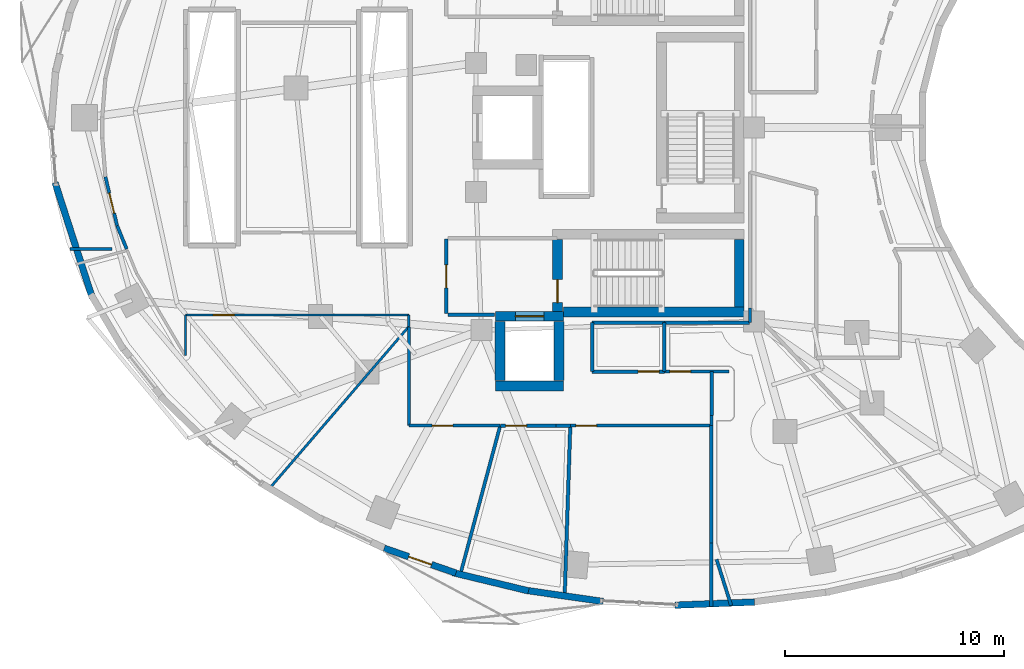
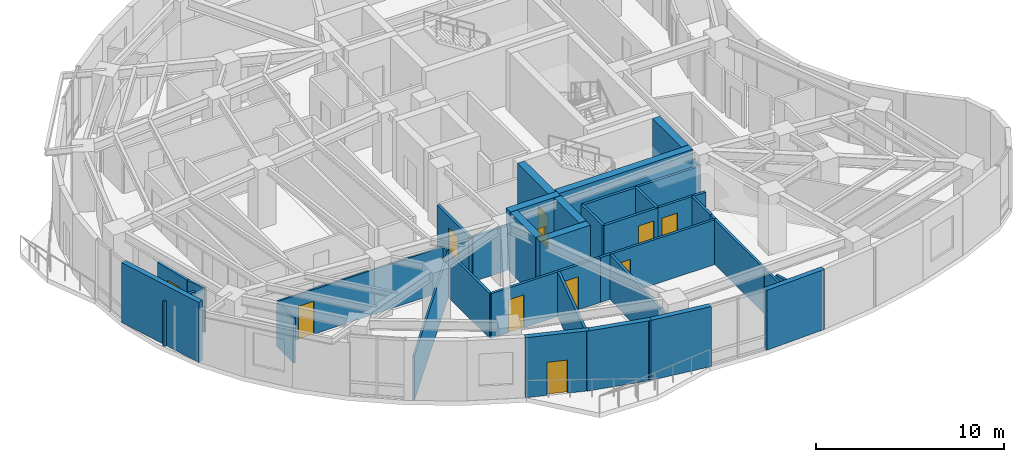
# One storey, part 8 of 15: 40 walls, 11 doors, 11 openings.
"""IFC4 building model written with IfcOpenShell, lengths in metres."""

import ifcopenshell
import ifcopenshell.guid

model = None  # the IFC model being written
_history = None  # IfcOwnerHistory: only IFC2X3 demands one
_inside = {}  # id of a spatial element -> (the spatial element, [elements in it])
_under = {}  # id of a project, library or spatial element -> (it, [spatial elements below it])
_declared = {}  # id of a project -> (the project, [libraries it declares])
_typed = {}  # id of a type object -> (the type object, [elements of that type])
_made_of = {}  # id of a material, layer set ... -> (it, [elements and type objects made of it])


def new_model(schema):
    """Start an empty IFC model of exactly this schema.

    Asked for "IFC4X3", IfcOpenShell would pick the latest addendum, in which some entities
    have other attributes; the version numbers below select the first issue.
    IFC2X3 requires an IfcOwnerHistory on every rooted entity: one is made here for all.
    """
    global model, _history
    if schema == "IFC4X3":
        model = ifcopenshell.file(schema_version=(4, 3, 0, 0))
    else:
        model = ifcopenshell.file(schema=schema)
    _inside.clear()
    _under.clear()
    _declared.clear()
    _typed.clear()
    _made_of.clear()
    _history = None
    if model.schema == "IFC2X3":
        org = make("IfcOrganization", Name="unknown")
        user = make(
            "IfcPersonAndOrganization",
            ThePerson=make("IfcPerson", FamilyName="unknown"),
            TheOrganization=org,
        )
        app = make(
            "IfcApplication",
            ApplicationDeveloper=org,
            Version="unknown",
            ApplicationFullName="unknown",
            ApplicationIdentifier="unknown",
        )
        _history = make(
            "IfcOwnerHistory",
            OwningUser=user,
            OwningApplication=app,
            ChangeAction="ADDED",
            CreationDate=0,
        )
    return model


def make(cls, **values):
    """One entity of the class cls with the attributes given. An attribute that is None is left unset."""
    return model.create_entity(
        cls, **{name: value for name, value in values.items() if value is not None}
    )


def rooted(cls, **values):
    """An entity with a GlobalId (a new one), such as an element, a storey or a relation."""
    return make(cls, GlobalId=ifcopenshell.guid.new(), OwnerHistory=_history, **values)


def si_unit(unit_type, name, prefix=None):
    """IfcSIUnit, for example si_unit("LENGTHUNIT", "METRE", prefix="MILLI")."""
    return make("IfcSIUnit", UnitType=unit_type, Prefix=prefix, Name=name)


def assignment(units):
    """IfcUnitAssignment: the units of a project."""
    return None if units is None else make("IfcUnitAssignment", Units=units)


def point(xyz):
    """IfcCartesianPoint."""
    return None if xyz is None else make("IfcCartesianPoint", Coordinates=xyz)


def direction(xyz):
    """IfcDirection."""
    return None if xyz is None else make("IfcDirection", DirectionRatios=xyz)


def frame(location, z_axis=None, x_axis=None):
    """IfcAxis2Placement3D, a coordinate frame: its origin and axes. An axis left out is left unset."""
    return make(
        "IfcAxis2Placement3D",
        Location=point(location),
        Axis=direction(z_axis),
        RefDirection=direction(x_axis),
    )


def frame_2d(location, x_axis=None):
    """IfcAxis2Placement2D, a coordinate frame in the plane: its origin and x axis."""
    return make(
        "IfcAxis2Placement2D", Location=point(location), RefDirection=direction(x_axis)
    )


def origin():
    """The frame at (0, 0, 0) with its axes left unset."""
    return frame((0.0, 0.0, 0.0))


def place(relative_to, where):
    """IfcLocalPlacement: puts the frame where relative to a parent placement (None: the world)."""
    return make(
        "IfcLocalPlacement", PlacementRelTo=relative_to, RelativePlacement=where
    )


def context(
    kind, dimensions, precision=None, world=None, true_north=None, identifier=None
):
    """IfcGeometricRepresentationContext, for example the 3D "Model" context."""
    return make(
        "IfcGeometricRepresentationContext",
        ContextIdentifier=identifier,
        ContextType=kind,
        CoordinateSpaceDimension=dimensions,
        Precision=precision,
        WorldCoordinateSystem=world,
        TrueNorth=true_north,
    )


def subcontext(parent, identifier, kind, view, scale=None):
    """IfcGeometricRepresentationSubContext, for example "Body" below "Model"."""
    return make(
        "IfcGeometricRepresentationSubContext",
        ContextIdentifier=identifier,
        ContextType=kind,
        ParentContext=parent,
        TargetScale=scale,
        TargetView=view,
    )


def project(units=None, contexts=None):
    """IfcProject with its units and contexts."""
    return rooted(
        "IfcProject",
        Name="project",
        RepresentationContexts=contexts,
        UnitsInContext=assignment(units),
    )


def spatial(cls, under=None, at=None, **own):
    """A site, building, storey or space (cls), placed at a placement, below another one or the project."""
    s = rooted(cls, ObjectPlacement=at, **own)
    if under is not None:
        _under.setdefault(under.id(), (under, []))[1].append(s)
    return s


def profile(cls, at=None, kind="AREA", **sizes):
    """A parametric profile (cls). Its sizes go by their IFC names, for example OverallWidth=200.0."""
    return make(cls, ProfileType=kind, Position=at, **sizes)


def rectangle(**sizes):
    """IfcRectangleProfileDef."""
    return profile("IfcRectangleProfileDef", **sizes)


def extrude(swept, where, along, depth):
    """IfcExtrudedAreaSolid: the profile swept, set in the frame where, extruded along a direction by depth."""
    return make(
        "IfcExtrudedAreaSolid",
        SweptArea=swept,
        Position=where,
        ExtrudedDirection=direction(along),
        Depth=depth,
    )


def shape(context_of_items, identifier, shape_type, items):
    """IfcShapeRepresentation: the items that make up one representation, for example the "Body"."""
    return make(
        "IfcShapeRepresentation",
        ContextOfItems=context_of_items,
        RepresentationIdentifier=identifier,
        RepresentationType=shape_type,
        Items=items,
    )


def material(Name=None, Category=None):
    """IfcMaterial."""
    return make("IfcMaterial", Name=Name, Category=Category)


def layer(
    of_material, thickness, ventilated=None, Name=None, Category=None, Priority=None
):
    """IfcMaterialLayer: one layer of a wall or slab, of a material (None: an air gap)."""
    return make(
        "IfcMaterialLayer",
        Material=of_material,
        LayerThickness=thickness,
        IsVentilated=ventilated,
        Name=Name,
        Category=Category,
        Priority=Priority,
    )


def layer_set(layers, Name=None):
    """IfcMaterialLayerSet."""
    return make("IfcMaterialLayerSet", MaterialLayers=layers, LayerSetName=Name)


def made_of(thing, what):
    """Note that an element or type object is made of a material, layer set ...; save() writes the relation."""
    if what is not None:
        _made_of.setdefault(what.id(), (what, []))[1].append(thing)
    return thing


def type_object(cls, material=None, **own):
    """A type object (cls), such as IfcWallType, which elements share."""
    return made_of(rooted(cls, **own), material)


def element(
    cls,
    number,
    at=None,
    inside=None,
    cuts=None,
    type_object=None,
    material=None,
    context=None,
    identifier="Body",
    shape_type=None,
    held_by="IfcProductDefinitionShape",
    body=None,
    shapes=None,
    **own,
):
    """One element of the class cls, such as IfcWall. Its Tag is "e" and its number.

    at: its placement. inside: the storey or other place that contains it. cuts: it is an
    opening in that element (IfcRelVoidsElement). A single representation is given by context,
    identifier, shape_type and body (its items); several are given by shapes. held_by: the class
    of the entity that holds the representations. save() writes the other relations.
    """
    e = rooted(cls, Tag="e%d" % number, ObjectPlacement=at, **own)
    if body is not None:
        shapes = [shape(context, identifier, shape_type, body)]
    if shapes is not None:
        e.Representation = make(held_by, Representations=shapes)
    if inside is not None:
        _inside.setdefault(inside.id(), (inside, []))[1].append(e)
    if cuts is not None:
        rooted(
            "IfcRelVoidsElement", RelatingBuildingElement=cuts, RelatedOpeningElement=e
        )
    if type_object is not None:
        _typed.setdefault(type_object.id(), (type_object, []))[1].append(e)
    return made_of(e, material)


def fill(opening, filler):
    """IfcRelFillsElement: the door or window that sits in an opening."""
    return rooted(
        "IfcRelFillsElement",
        RelatingOpeningElement=opening,
        RelatedBuildingElement=filler,
    )


def aggregate(whole, parts):
    """IfcRelAggregates: a whole, such as a stair, and the parts it consists of."""
    return rooted("IfcRelAggregates", RelatingObject=whole, RelatedObjects=parts)


def save(model, path):
    """Write the relations noted so far, then the file.

    IfcRelAggregates (storeys below a building ...), IfcRelContainedInSpatialStructure (elements
    in a storey), IfcRelDefinesByType, IfcRelAssociatesMaterial and IfcRelDeclares: one each for
    every whole, place, type object, material and project.
    """
    for whole, parts in _under.values():
        aggregate(whole, parts)
    for where, things in _inside.values():
        rooted(
            "IfcRelContainedInSpatialStructure",
            RelatedElements=things,
            RelatingStructure=where,
        )
    for kind, things in _typed.values():
        rooted("IfcRelDefinesByType", RelatedObjects=things, RelatingType=kind)
    for what, things in _made_of.values():
        rooted("IfcRelAssociatesMaterial", RelatedObjects=things, RelatingMaterial=what)
    for by, libraries in _declared.values():
        rooted("IfcRelDeclares", RelatingContext=by, RelatedDefinitions=libraries)
    model.write(path)


model = new_model("IFC4")

# Units and contexts
model_context = context("Model", 3, precision=1e-05, world=origin(), true_north=direction((0.0, 1.0)))
body_context = subcontext(model_context, "Body", "Model", "MODEL_VIEW")
ifc_project = project(units=[si_unit("LENGTHUNIT", "METRE"), si_unit("AREAUNIT", "SQUARE_METRE"), si_unit("VOLUMEUNIT", "CUBIC_METRE"), si_unit("PLANEANGLEUNIT", "RADIAN"), si_unit("MASSUNIT", "GRAM", prefix="KILO")], contexts=[model_context])

# Site, building, storey
site_placement = place(None, origin())
site = spatial("IfcSite", under=ifc_project, at=site_placement, CompositionType="ELEMENT")
building_placement = place(site_placement, origin())
building = spatial("IfcBuilding", under=site, at=building_placement, Name="Korentha Bioscience Tower", CompositionType="ELEMENT")
storey_placement = place(building_placement, frame((0.0, 0.0, 111.0)))
storey = spatial("IfcBuildingStorey", under=building, at=storey_placement, Name="L25", CompositionType="ELEMENT", Elevation=111.0)

# Wall, opening, door
ifc_material_1 = material(Name="Double-Stud Acoustic Gypsum", Category="gypsum")
ifc_layer_1 = layer(ifc_material_1, 0.14990234375, Name="Double-Stud Acoustic Gypsum")
ifc_layer_set_1 = layer_set([ifc_layer_1], Name="Double-Stud Acoustic Gypsum (IW-L150)")
wall_type_1 = type_object("IfcWallType", Name="Acoustic Laboratory Partition Wall 150", PredefinedType="PARTITIONING", material=ifc_layer_set_1)
wall_1_placement = place(storey_placement, frame((21.800048828125, 13.389892578125, 0.0), z_axis=(0.0, 0.0, 1.0), x_axis=(1.0, 0.0, 0.0)))
wall_1 = element("IfcWall", 1, at=wall_1_placement, inside=storey, type_object=wall_type_1, Name="L25 Staff Pantry Kitchenette 02 Entrance Wall", PredefinedType="PARTITIONING", context=body_context, shape_type="SweptSolid", body=[
    extrude(rectangle(XDim=4.15869140625, YDim=0.14990234375, at=frame_2d((2.079345703125, 0.0))), origin(), (0.0, 0.0, 1.0), 2.909912109375),
])
opening_1_placement = place(wall_1_placement, frame((1.051513671875, 0.0, 0.0)))
opening_1 = element("IfcOpeningElement", 2, at=opening_1_placement, cuts=wall_1, Name="Opening ID-10L", PredefinedType="OPENING", context=body_context, shape_type="SweptSolid", body=[
    extrude(rectangle(XDim=0.949951171875, YDim=2.14990234375, at=frame_2d((0.47509765625, 1.074951171875))), frame((0.0, 0.08984375, 0.0), z_axis=(0.0, -1.0, 0.0), x_axis=(1.0, 0.0, 0.0)), (0.0, 0.0, 1.0), 0.1796875),
])
ifc_material_2 = material(Name="Phenolic Laminate Timber Core", Category="wood")
door_type_1 = type_object("IfcDoorType", Name="Laboratory Single Leaf Door 950x2150 Left", OperationType="SINGLE_SWING_LEFT", PredefinedType="DOOR", material=ifc_material_2)
door_1_placement = place(opening_1_placement, origin())
door_1 = element("IfcDoor", 3, at=door_1_placement, inside=storey, type_object=door_type_1, Name="L25 Staff Pantry Kitchenette 02 Door", OperationType="SINGLE_SWING_LEFT", OverallHeight=2.14990234375, OverallWidth=0.949951171875, PredefinedType="DOOR", context=body_context, shape_type="SweptSolid", body=[
    extrude(rectangle(XDim=0.949951171875, YDim=2.14990234375, at=frame_2d((0.47509765625, 1.074951171875))), frame((0.0, 0.02490234375, 0.0), z_axis=(0.0, -1.0, 0.0), x_axis=(1.0, 0.0, 0.0)), (0.0, 0.0, 1.0), 0.050048828125),
])
fill(opening_1, door_1)

wall_2_placement = place(storey_placement, frame((29.16748046875, 13.389892578125, 0.0), z_axis=(0.0, 0.0, 1.0), x_axis=(1.0, 0.0, 0.0)))
wall_2 = element("IfcWall", 4, at=wall_2_placement, inside=storey, type_object=wall_type_1, Name="L25 Biomechanical Motion Analysis Lab 04 Entrance Wall", PredefinedType="PARTITIONING", context=body_context, shape_type="SweptSolid", body=[
    extrude(rectangle(XDim=6.430419921875, YDim=0.14990234375, at=frame_2d((3.21533203125, 0.0))), origin(), (0.0, 0.0, 1.0), 2.909912109375),
])
opening_2_placement = place(wall_2_placement, frame((0.239990234375, 0.0, 0.0)))
opening_2 = element("IfcOpeningElement", 5, at=opening_2_placement, cuts=wall_2, Name="Opening ID-10L", PredefinedType="OPENING", context=body_context, shape_type="SweptSolid", body=[
    extrude(rectangle(XDim=0.949951171875, YDim=2.14990234375, at=frame_2d((0.47509765625, 1.074951171875))), frame((0.0, 0.08984375, 0.0), z_axis=(0.0, -1.0, 0.0), x_axis=(1.0, 0.0, 0.0)), (0.0, 0.0, 1.0), 0.1796875),
])
door_2_placement = place(opening_2_placement, origin())
door_2 = element("IfcDoor", 6, at=door_2_placement, inside=storey, type_object=door_type_1, Name="L25 Biomechanical Motion Analysis Lab 04 Door", OperationType="SINGLE_SWING_LEFT", OverallHeight=2.14990234375, OverallWidth=0.949951171875, PredefinedType="DOOR", context=body_context, shape_type="SweptSolid", body=[
    extrude(rectangle(XDim=0.949951171875, YDim=2.14990234375, at=frame_2d((0.47509765625, 1.074951171875))), frame((0.0, 0.02490234375, 0.0), z_axis=(0.0, -1.0, 0.0), x_axis=(1.0, 0.0, 0.0)), (0.0, 0.0, 1.0), 0.050048828125),
])
fill(opening_2, door_2)

wall_3_placement = place(storey_placement, frame((36.39990234375, 15.860107421875, 0.0), z_axis=(0.0, 0.0, 1.0), x_axis=(-1.0, 0.0, 0.0)))
wall_3 = element("IfcWall", 7, at=wall_3_placement, inside=storey, type_object=wall_type_1, Name="L25 Automated High-Throughput Assay Lab 05 Entrance Wall", PredefinedType="PARTITIONING", context=body_context, shape_type="SweptSolid", body=[
    extrude(rectangle(XDim=2.93994140625, YDim=0.14990234375, at=frame_2d((1.469970703125, 0.0))), origin(), (0.0, 0.0, 1.0), 2.909912109375),
])
opening_3_placement = place(wall_3_placement, frame((1.75, 0.0, 0.0)))
opening_3 = element("IfcOpeningElement", 8, at=opening_3_placement, cuts=wall_3, Name="Opening ID-10R", PredefinedType="OPENING", context=body_context, shape_type="SweptSolid", body=[
    extrude(rectangle(XDim=0.949951171875, YDim=2.14990234375, at=frame_2d((0.47509765625, 1.074951171875))), frame((0.0, 0.08984375, 0.0), z_axis=(0.0, -1.0, 0.0), x_axis=(1.0, 0.0, 0.0)), (0.0, 0.0, 1.0), 0.1796875),
])
door_type_2 = type_object("IfcDoorType", Name="Laboratory Single Leaf Door 950x2150 Right", OperationType="SINGLE_SWING_RIGHT", PredefinedType="DOOR", material=ifc_material_2)
door_3_placement = place(opening_3_placement, origin())
door_3 = element("IfcDoor", 9, at=door_3_placement, inside=storey, type_object=door_type_2, Name="L25 Automated High-Throughput Assay Lab 05 Door", OperationType="SINGLE_SWING_RIGHT", OverallHeight=2.14990234375, OverallWidth=0.949951171875, PredefinedType="DOOR", context=body_context, shape_type="SweptSolid", body=[
    extrude(rectangle(XDim=0.949951171875, YDim=2.14990234375, at=frame_2d((0.47509765625, 1.074951171875))), frame((0.0, 0.02490234375, 0.0), z_axis=(0.0, -1.0, 0.0), x_axis=(1.0, 0.0, 0.0)), (0.0, 0.0, 1.0), 0.050048828125),
])
fill(opening_3, door_3)

wall_4_placement = place(storey_placement, frame((7.930419921875, 24.749267578125, 0.0), z_axis=(0.0, 0.0, 1.0), x_axis=(0.233675196412, -0.972314713754, 0.0)))
wall_4 = element("IfcWall", 10, at=wall_4_placement, inside=storey, type_object=wall_type_1, Name="L25 Automated High-Throughput Assay Lab 14 Entrance Wall", PredefinedType="PARTITIONING", context=body_context, shape_type="SweptSolid", body=[
    extrude(rectangle(XDim=2.291259765625, YDim=0.14990234375, at=frame_2d((1.1455078125, 0.0))), origin(), (0.0, 0.0, 1.0), 2.909912109375),
])
opening_4_placement = place(wall_4_placement, frame((0.760498046875, 0.0, 0.0)))
opening_4 = element("IfcOpeningElement", 11, at=opening_4_placement, cuts=wall_4, Name="Opening ID-10L", PredefinedType="OPENING", context=body_context, shape_type="SweptSolid", body=[
    extrude(rectangle(XDim=0.949951171875, YDim=2.14990234375, at=frame_2d((0.47509765625, 1.074951171875))), frame((0.0, 0.08984375, 0.0), z_axis=(0.0, -1.0, 0.0), x_axis=(1.0, 0.0, 0.0)), (0.0, 0.0, 1.0), 0.1796875),
])
door_4_placement = place(opening_4_placement, origin())
door_4 = element("IfcDoor", 12, at=door_4_placement, inside=storey, type_object=door_type_1, Name="L25 Automated High-Throughput Assay Lab 14 Door", OperationType="SINGLE_SWING_LEFT", OverallHeight=2.14990234375, OverallWidth=0.949951171875, PredefinedType="DOOR", context=body_context, shape_type="SweptSolid", body=[
    extrude(rectangle(XDim=0.949951171875, YDim=2.14990234375, at=frame_2d((0.47509765625, 1.074951171875))), frame((0.0, 0.02490234375, 0.0), z_axis=(0.0, -1.0, 0.0), x_axis=(1.0, 0.0, 0.0)), (0.0, 0.0, 1.0), 0.050048828125),
])
fill(opening_4, door_4)

# Walls
wall_5_placement = place(storey_placement, frame((21.7900390625, 17.9033203125, 0.0), z_axis=(0.0, 0.0, 1.0), x_axis=(0.0, -1.0, 0.0)))
element("IfcWall", 13, at=wall_5_placement, inside=storey, type_object=wall_type_1, Name="L25 Interior Partition 029", PredefinedType="PARTITIONING", context=body_context, shape_type="SweptSolid", body=[
    extrude(rectangle(XDim=4.50341796875, YDim=0.14990234375, at=frame_2d((2.251708984375, 0.0))), origin(), (0.0, 0.0, 1.0), 2.909912109375),
])
wall_6_placement = place(storey_placement, frame((25.958740234375, 13.389892578125, 0.0), z_axis=(0.0, 0.0, 1.0), x_axis=(-0.258815678752, -0.965926728294, 0.0)))
element("IfcWall", 14, at=wall_6_placement, inside=storey, type_object=wall_type_1, Name="L25 Interior Partition 030", PredefinedType="PARTITIONING", context=body_context, shape_type="SweptSolid", body=[
    extrude(rectangle(XDim=7.155029296875, YDim=0.14990234375, at=frame_2d((3.57763671875, 0.0))), origin(), (0.0, 0.0, 1.0), 2.909912109375),
])
wall_7_placement = place(storey_placement, frame((35.597900390625, 8.02734375, 0.0), z_axis=(0.0, 0.0, 1.0), x_axis=(0.0, -1.0, 0.0)))
element("IfcWall", 15, at=wall_7_placement, inside=storey, type_object=wall_type_1, Name="L25 Interior Partition 033", PredefinedType="PARTITIONING", context=body_context, shape_type="SweptSolid", body=[
    extrude(rectangle(XDim=2.89208984375, YDim=0.14990234375, at=frame_2d((1.446044921875, 0.0))), origin(), (0.0, 0.0, 1.0), 2.909912109375),
])
wall_8_placement = place(storey_placement, frame((35.597900390625, 13.389892578125, 0.0), z_axis=(0.0, 0.0, 1.0), x_axis=(0.0, -1.0, 0.0)))
element("IfcWall", 16, at=wall_8_placement, inside=storey, type_object=wall_type_1, Name="L25 Interior Partition 034", PredefinedType="PARTITIONING", context=body_context, shape_type="SweptSolid", body=[
    extrude(rectangle(XDim=5.348876953125, YDim=0.14990234375, at=frame_2d((2.67431640625, 0.0))), origin(), (0.0, 0.0, 1.0), 2.909912109375),
])
wall_9_placement = place(storey_placement, frame((36.50146484375, 5.1806640625, 0.0), z_axis=(0.0, 0.0, 1.0), x_axis=(-0.301258675819, 0.953542453299, 0.0)))
element("IfcWall", 17, at=wall_9_placement, inside=storey, type_object=wall_type_1, Name="L25 Interior Partition 035", PredefinedType="PARTITIONING", context=body_context, shape_type="SweptSolid", body=[
    extrude(rectangle(XDim=2.20263671875, YDim=0.14990234375, at=frame_2d((1.101318359375, 0.0))), origin(), (0.0, 0.0, 1.0), 2.909912109375),
])
wall_10_placement = place(storey_placement, frame((35.610107421875, 13.39990234375, 0.0), z_axis=(0.0, 0.0, 1.0), x_axis=(0.0, 1.0, 0.0)))
element("IfcWall", 18, at=wall_10_placement, inside=storey, type_object=wall_type_1, Name="L25 Interior Partition 036", PredefinedType="PARTITIONING", context=body_context, shape_type="SweptSolid", body=[
    extrude(rectangle(XDim=0.440185546875, YDim=0.14990234375, at=frame_2d((0.22021484375, 0.0))), origin(), (0.0, 0.0, 1.0), 2.909912109375),
])
wall_11_placement = place(storey_placement, frame((35.6201171875, 13.85009765625, 0.0), z_axis=(0.0, 0.0, 1.0), x_axis=(0.0, 1.0, 0.0)))
element("IfcWall", 19, at=wall_11_placement, inside=storey, type_object=wall_type_1, Name="L25 Interior Partition 038", PredefinedType="PARTITIONING", context=body_context, shape_type="SweptSolid", body=[
    extrude(rectangle(XDim=2.0, YDim=0.14990234375, at=frame_2d((1.0, 0.0))), origin(), (0.0, 0.0, 1.0), 2.909912109375),
])
wall_12_placement = place(storey_placement, frame((33.4599609375, 18.090087890625, 0.0), z_axis=(0.0, 0.0, 1.0), x_axis=(1.0, 0.0, 0.0)))
element("IfcWall", 20, at=wall_12_placement, inside=storey, type_object=wall_type_1, Name="L25 Interior Partition 039", PredefinedType="PARTITIONING", context=body_context, shape_type="SweptSolid", body=[
    extrude(rectangle(XDim=3.89013671875, YDim=0.14990234375, at=frame_2d((1.945068359375, 0.0))), origin(), (0.0, 0.0, 1.0), 2.909912109375),
])
wall_13_placement = place(storey_placement, frame((37.360107421875, 18.10009765625, 0.0), z_axis=(0.0, 0.0, 1.0), x_axis=(0.0, 1.0, 0.0)))
element("IfcWall", 21, at=wall_13_placement, inside=storey, type_object=wall_type_1, Name="L25 Interior Partition 040", PredefinedType="PARTITIONING", context=body_context, shape_type="SweptSolid", body=[
    extrude(rectangle(XDim=0.654052734375, YDim=0.14990234375, at=frame_2d((0.3271484375, 0.0))), origin(), (0.0, 0.0, 1.0), 2.909912109375),
])
wall_14_placement = place(storey_placement, frame((8.46630859375, 22.520263671875, 0.0), z_axis=(0.0, 0.0, 1.0), x_axis=(0.378237433206, -0.925708617288, 0.0)))
element("IfcWall", 22, at=wall_14_placement, inside=storey, type_object=wall_type_1, Name="L25 Interior Partition 084", PredefinedType="PARTITIONING", context=body_context, shape_type="SweptSolid", body=[
    extrude(rectangle(XDim=1.154052734375, YDim=0.14990234375, at=frame_2d((0.5771484375, 0.0))), origin(), (0.0, 0.0, 1.0), 2.909912109375),
])
wall_15_placement = place(storey_placement, frame((8.238037109375, 21.451904296875, 0.0), z_axis=(0.0, 0.0, 1.0), x_axis=(-1.0, 0.0, 0.0)))
element("IfcWall", 23, at=wall_15_placement, inside=storey, type_object=wall_type_1, Name="L25 Interior Partition 085", PredefinedType="PARTITIONING", context=body_context, shape_type="SweptSolid", body=[
    extrude(rectangle(XDim=1.9169921875, YDim=0.14990234375, at=frame_2d((0.95849609375, 0.0))), origin(), (0.0, 0.0, 1.0), 2.909912109375),
])

# Wall, opening, door
ifc_material_3 = material(Name="Fire-Rated Framed Glass", Category="glass")
ifc_layer_2 = layer(ifc_material_3, 0.110107421875, Name="Fire-Rated Framed Glass")
ifc_layer_set_2 = layer_set([ifc_layer_2], Name="Fire-Rated Framed Glass (IW-G110)")
wall_type_2 = type_object("IfcWallType", Name="Demountable Glazed Office Partition 110", PredefinedType="MOVABLE", material=ifc_layer_set_2)
wall_16_placement = place(storey_placement, frame((11.590087890625, 18.43994140625, 0.0), z_axis=(0.0, 0.0, 1.0), x_axis=(1.0, 0.0, 0.0)))
wall_16 = element("IfcWall", 24, at=wall_16_placement, inside=storey, type_object=wall_type_2, Name="L25 Research Colloquium Seminar Room 01 Entrance Wall", PredefinedType="MOVABLE", context=body_context, shape_type="SweptSolid", body=[
    extrude(rectangle(XDim=10.199951171875, YDim=0.110107421875, at=frame_2d((5.10009765625, 0.0))), origin(), (0.0, 0.0, 1.0), 2.909912109375),
])
opening_5_placement = place(wall_16_placement, frame((1.26953125, 0.0, 0.0)))
opening_5 = element("IfcOpeningElement", 25, at=opening_5_placement, cuts=wall_16, Name="Opening ID-10R", PredefinedType="OPENING", context=body_context, shape_type="SweptSolid", body=[
    extrude(rectangle(XDim=0.949951171875, YDim=2.14990234375, at=frame_2d((0.47509765625, 1.074951171875))), frame((0.0, 0.06982421875, 0.0), z_axis=(0.0, -1.0, 0.0), x_axis=(1.0, 0.0, 0.0)), (0.0, 0.0, 1.0), 0.139892578125),
])
door_5_placement = place(opening_5_placement, origin())
door_5 = element("IfcDoor", 26, at=door_5_placement, inside=storey, type_object=door_type_2, Name="L25 Research Colloquium Seminar Room 01 Door", OperationType="SINGLE_SWING_RIGHT", OverallHeight=2.14990234375, OverallWidth=0.949951171875, PredefinedType="DOOR", context=body_context, shape_type="SweptSolid", body=[
    extrude(rectangle(XDim=0.949951171875, YDim=2.14990234375, at=frame_2d((0.47509765625, 1.074951171875))), frame((0.0, 0.02490234375, 0.0), z_axis=(0.0, -1.0, 0.0), x_axis=(1.0, 0.0, 0.0)), (0.0, 0.0, 1.0), 0.050048828125),
])
fill(opening_5, door_5)

# Walls
wall_17_placement = place(storey_placement, frame((11.590087890625, 16.592041015625, 0.0), z_axis=(0.0, 0.0, 1.0), x_axis=(0.0, 1.0, 0.0)))
element("IfcWall", 27, at=wall_17_placement, inside=storey, type_object=wall_type_2, Name="L25 Interior Partition 026", PredefinedType="MOVABLE", context=body_context, shape_type="SweptSolid", body=[
    extrude(rectangle(XDim=1.847900390625, YDim=0.110107421875, at=frame_2d((0.923828125, 0.0))), origin(), (0.0, 0.0, 1.0), 2.909912109375),
])
wall_18_placement = place(storey_placement, frame((21.7900390625, 18.43994140625, 0.0), z_axis=(0.0, 0.0, 1.0), x_axis=(0.0, -1.0, 0.0)))
element("IfcWall", 28, at=wall_18_placement, inside=storey, type_object=wall_type_2, Name="L25 Interior Partition 027", PredefinedType="MOVABLE", context=body_context, shape_type="SweptSolid", body=[
    extrude(rectangle(XDim=0.521240234375, YDim=0.110107421875, at=frame_2d((0.2607421875, 0.0))), origin(), (0.0, 0.0, 1.0), 2.909912109375),
])
wall_19_placement = place(storey_placement, frame((21.7900390625, 17.918701171875, 0.0), z_axis=(0.0, 0.0, 1.0), x_axis=(-0.652278586957, -0.757979316999, 0.0)))
element("IfcWall", 29, at=wall_19_placement, inside=storey, type_object=wall_type_2, Name="L25 Interior Partition 028", PredefinedType="MOVABLE", context=body_context, shape_type="SweptSolid", body=[
    extrude(rectangle(XDim=9.8740234375, YDim=0.110107421875, at=frame_2d((4.93701171875, 0.0))), origin(), (0.0, 0.0, 1.0), 2.909912109375),
])

# Wall, opening, door
ifc_material_4 = material(Name="Gypsum-Clad Steel Stud", Category="steel")
ifc_layer_3 = layer(ifc_material_4, 0.159912109375, Name="Gypsum-Clad Steel Stud")
ifc_layer_set_3 = layer_set([ifc_layer_3], Name="Gypsum-Clad Steel Stud (IW-C160)")
wall_type_3 = type_object("IfcWallType", Name="Fire-Rated Corridor Partition Wall 160", PredefinedType="PARTITIONING", material=ifc_layer_set_3)
wall_20_placement = place(storey_placement, frame((23.5, 18.5, 0.0), z_axis=(0.0, 0.0, 1.0), x_axis=(0.0, 1.0, 0.0)))
wall_20 = element("IfcWall", 30, at=wall_20_placement, inside=storey, type_object=wall_type_3, Name="L25 FFLS-CW Rated Enclosure Wall", PredefinedType="PARTITIONING", context=body_context, shape_type="SweptSolid", body=[
    extrude(rectangle(XDim=3.39990234375, YDim=0.159912109375, at=frame_2d((1.699951171875, 0.0))), origin(), (0.0, 0.0, 1.0), 2.909912109375),
])
opening_6_placement = place(wall_20_placement, frame((1.175048828125, 0.0, 0.0)))
opening_6 = element("IfcOpeningElement", 31, at=opening_6_placement, cuts=wall_20, Name="Opening FD-90R", PredefinedType="OPENING", context=body_context, shape_type="SweptSolid", body=[
    extrude(rectangle(XDim=1.050048828125, YDim=2.14990234375, at=frame_2d((0.52490234375, 1.074951171875))), frame((0.0, 0.0947265625, 0.0), z_axis=(0.0, -1.0, 0.0), x_axis=(1.0, 0.0, 0.0)), (0.0, 0.0, 1.0), 0.189697265625),
])
ifc_material_5 = material(Name="Powder-Coated Fire-Rated Steel", Category="steel")
door_type_3 = type_object("IfcDoorType", Name="Stairwell Fire Exit Door 1050x2150 Right", OperationType="SINGLE_SWING_RIGHT", PredefinedType="DOOR", material=ifc_material_5)
door_6_placement = place(opening_6_placement, origin())
door_6 = element("IfcDoor", 32, at=door_6_placement, inside=storey, type_object=door_type_3, Name="L25 South Firefighting Lobby Door", OperationType="SINGLE_SWING_RIGHT", OverallHeight=2.14990234375, OverallWidth=1.050048828125, PredefinedType="DOOR", context=body_context, shape_type="SweptSolid", body=[
    extrude(rectangle(XDim=1.050048828125, YDim=2.14990234375, at=frame_2d((0.52490234375, 1.074951171875))), frame((0.0, 0.02490234375, 0.0), z_axis=(0.0, -1.0, 0.0), x_axis=(1.0, 0.0, 0.0)), (0.0, 0.0, 1.0), 0.050048828125),
])
fill(opening_6, door_6)

# Wall
wall_21_placement = place(storey_placement, frame((23.580078125, 18.449951171875, 0.0), z_axis=(0.0, 0.0, 1.0), x_axis=(1.0, 0.0, 0.0)))
element("IfcWall", 33, at=wall_21_placement, inside=storey, type_object=wall_type_3, Name="L25 Firefighting Lobby Return Wall FFLS-S", PredefinedType="PARTITIONING", context=body_context, shape_type="SweptSolid", body=[
    extrude(rectangle(XDim=2.119873046875, YDim=0.159912109375, at=frame_2d((1.06005859375, 0.0))), origin(), (0.0, 0.0, 1.0), 2.909912109375),
])

# Wall, opening, door
wall_22_placement = place(storey_placement, frame((33.449951171875, 15.860107421875, 0.0), z_axis=(0.0, 0.0, 1.0), x_axis=(-1.0, 0.0, 0.0)))
wall_22 = element("IfcWall", 34, at=wall_22_placement, inside=storey, type_object=wall_type_3, Name="L25 Core Instrumentation and Gas Store Entrance Wall", PredefinedType="PARTITIONING", context=body_context, shape_type="SweptSolid", body=[
    extrude(rectangle(XDim=3.300048828125, YDim=0.159912109375, at=frame_2d((1.64990234375, 0.0))), origin(), (0.0, 0.0, 1.0), 2.909912109375),
])
opening_7_placement = place(wall_22_placement, frame((0.239990234375, 0.0, 0.0)))
opening_7 = element("IfcOpeningElement", 35, at=opening_7_placement, cuts=wall_22, Name="Opening ID-10R", PredefinedType="OPENING", context=body_context, shape_type="SweptSolid", body=[
    extrude(rectangle(XDim=0.949951171875, YDim=2.14990234375, at=frame_2d((0.47509765625, 1.074951171875))), frame((0.0, 0.0947265625, 0.0), z_axis=(0.0, -1.0, 0.0), x_axis=(1.0, 0.0, 0.0)), (0.0, 0.0, 1.0), 0.189697265625),
])
door_7_placement = place(opening_7_placement, origin())
door_7 = element("IfcDoor", 36, at=door_7_placement, inside=storey, type_object=door_type_2, Name="L25 Core Instrumentation and Gas Store Door", OperationType="SINGLE_SWING_RIGHT", OverallHeight=2.14990234375, OverallWidth=0.949951171875, PredefinedType="DOOR", context=body_context, shape_type="SweptSolid", body=[
    extrude(rectangle(XDim=0.949951171875, YDim=2.14990234375, at=frame_2d((0.47509765625, 1.074951171875))), frame((0.0, 0.02490234375, 0.0), z_axis=(0.0, -1.0, 0.0), x_axis=(1.0, 0.0, 0.0)), (0.0, 0.0, 1.0), 0.050048828125),
])
fill(opening_7, door_7)

wall_23_placement = place(storey_placement, frame((25.96875, 13.389892578125, 0.0), z_axis=(0.0, 0.0, 1.0), x_axis=(1.0, 0.0, 0.0)))
wall_23 = element("IfcWall", 37, at=wall_23_placement, inside=storey, type_object=wall_type_3, Name="L25 Biospecimen Archive Store 03 Entrance Wall", PredefinedType="PARTITIONING", context=body_context, shape_type="SweptSolid", body=[
    extrude(rectangle(XDim=2.53125, YDim=0.159912109375, at=frame_2d((1.265625, 0.0))), origin(), (0.0, 0.0, 1.0), 2.909912109375),
])
opening_8_placement = place(wall_23_placement, frame((0.239990234375, 0.0, 0.0)))
opening_8 = element("IfcOpeningElement", 38, at=opening_8_placement, cuts=wall_23, Name="Opening ID-10R", PredefinedType="OPENING", context=body_context, shape_type="SweptSolid", body=[
    extrude(rectangle(XDim=0.949951171875, YDim=2.14990234375, at=frame_2d((0.47509765625, 1.074951171875))), frame((0.0, 0.0947265625, 0.0), z_axis=(0.0, -1.0, 0.0), x_axis=(1.0, 0.0, 0.0)), (0.0, 0.0, 1.0), 0.189697265625),
])
door_8_placement = place(opening_8_placement, origin())
door_8 = element("IfcDoor", 39, at=door_8_placement, inside=storey, type_object=door_type_2, Name="L25 Biospecimen Archive Store 03 Door", OperationType="SINGLE_SWING_RIGHT", OverallHeight=2.14990234375, OverallWidth=0.949951171875, PredefinedType="DOOR", context=body_context, shape_type="SweptSolid", body=[
    extrude(rectangle(XDim=0.949951171875, YDim=2.14990234375, at=frame_2d((0.47509765625, 1.074951171875))), frame((0.0, 0.02490234375, 0.0), z_axis=(0.0, -1.0, 0.0), x_axis=(1.0, 0.0, 0.0)), (0.0, 0.0, 1.0), 0.050048828125),
])
fill(opening_8, door_8)

# Walls
wall_24_placement = place(storey_placement, frame((30.14990234375, 15.860107421875, 0.0), z_axis=(0.0, 0.0, 1.0), x_axis=(0.0, 1.0, 0.0)))
element("IfcWall", 40, at=wall_24_placement, inside=storey, type_object=wall_type_3, Name="L25 Interior Partition 018", PredefinedType="PARTITIONING", context=body_context, shape_type="SweptSolid", body=[
    extrude(rectangle(XDim=2.22998046875, YDim=0.159912109375, at=frame_2d((1.114990234375, 0.0))), origin(), (0.0, 0.0, 1.0), 2.909912109375),
])
wall_25_placement = place(storey_placement, frame((30.14990234375, 18.090087890625, 0.0), z_axis=(0.0, 0.0, 1.0), x_axis=(1.0, 0.0, 0.0)))
element("IfcWall", 41, at=wall_25_placement, inside=storey, type_object=wall_type_3, Name="L25 Interior Partition 019", PredefinedType="PARTITIONING", context=body_context, shape_type="SweptSolid", body=[
    extrude(rectangle(XDim=3.300048828125, YDim=0.159912109375, at=frame_2d((1.64990234375, 0.0))), origin(), (0.0, 0.0, 1.0), 2.909912109375),
])
wall_26_placement = place(storey_placement, frame((33.449951171875, 18.090087890625, 0.0), z_axis=(0.0, 0.0, 1.0), x_axis=(0.0, -1.0, 0.0)))
element("IfcWall", 42, at=wall_26_placement, inside=storey, type_object=wall_type_3, Name="L25 Interior Partition 020", PredefinedType="PARTITIONING", context=body_context, shape_type="SweptSolid", body=[
    extrude(rectangle(XDim=2.22998046875, YDim=0.159912109375, at=frame_2d((1.114990234375, 0.0))), origin(), (0.0, 0.0, 1.0), 2.909912109375),
])
wall_27_placement = place(storey_placement, frame((28.5, 13.389892578125, 0.0), z_axis=(0.0, 0.0, 1.0), x_axis=(1.0, 0.0, 0.0)))
element("IfcWall", 43, at=wall_27_placement, inside=storey, type_object=wall_type_3, Name="L25 Interior Partition 031", PredefinedType="PARTITIONING", context=body_context, shape_type="SweptSolid", body=[
    extrude(rectangle(XDim=0.65771484375, YDim=0.159912109375, at=frame_2d((0.328857421875, 0.0))), origin(), (0.0, 0.0, 1.0), 2.909912109375),
])
wall_28_placement = place(storey_placement, frame((29.15771484375, 13.389892578125, 0.0), z_axis=(0.0, 0.0, 1.0), x_axis=(-0.032908429898, -0.99945837094, 0.0)))
element("IfcWall", 44, at=wall_28_placement, inside=storey, type_object=wall_type_3, Name="L25 Interior Partition 032", PredefinedType="PARTITIONING", context=body_context, shape_type="SweptSolid", body=[
    extrude(rectangle(XDim=7.901123046875, YDim=0.159912109375, at=frame_2d((3.95068359375, 0.0))), origin(), (0.0, 0.0, 1.0), 2.909912109375),
])

# Wall, opening, door
ifc_material_6 = material(Name="Honed Limestone Precast Concrete C40", Category="masonry")
ifc_layer_4 = layer(ifc_material_6, 0.300048828125, Name="Honed Limestone Precast Concrete C40")
ifc_layer_set_4 = layer_set([ifc_layer_4], Name="Honed Limestone Precast Concrete C40 (EW-ST300)")
wall_type_4 = type_object("IfcWallType", Name="Honed Limestone Cavity Spandrel Wall 300", PredefinedType="STANDARD", material=ifc_layer_set_4)
wall_29_placement = place(storey_placement, frame((20.662109375, 7.7919921875, 0.0), z_axis=(0.0, 0.0, 1.0), x_axis=(0.944878029854, -0.3274225232, 0.0)))
wall_29 = element("IfcWall", 45, at=wall_29_placement, inside=storey, type_object=wall_type_4, Name="L25 Balcony Threshold Wall 03", PredefinedType="STANDARD", context=body_context, shape_type="SweptSolid", body=[
    extrude(rectangle(XDim=3.46728515625, YDim=0.300048828125, at=frame_2d((1.733642578125, 0.0))), origin(), (0.0, 0.0, 1.0), 3.89990234375),
])
opening_9_placement = place(wall_29_placement, frame((1.18359375, 0.0, 0.0)))
opening_9 = element("IfcOpeningElement", 46, at=opening_9_placement, cuts=wall_29, Name="Opening BD-11L", PredefinedType="OPENING", context=body_context, shape_type="SweptSolid", body=[
    extrude(rectangle(XDim=1.10009765625, YDim=2.14990234375, at=frame_2d((0.550048828125, 1.074951171875))), frame((0.0, 0.1650390625, 0.0), z_axis=(0.0, -1.0, 0.0), x_axis=(1.0, 0.0, 0.0)), (0.0, 0.0, 1.0), 0.329833984375),
])
ifc_material_7 = material(Name="Thermally Broken Glazed Aluminium", Category="aluminium")
door_type_4 = type_object("IfcDoorType", Name="Balcony Terrace Glazed Door 1100x2150 Left", OperationType="SINGLE_SWING_LEFT", PredefinedType="DOOR", material=ifc_material_7)
door_9_placement = place(opening_9_placement, origin())
door_9 = element("IfcDoor", 47, at=door_9_placement, inside=storey, type_object=door_type_4, Name="L25 Balcony Access Door 03", OperationType="SINGLE_SWING_LEFT", OverallHeight=2.14990234375, OverallWidth=1.10009765625, PredefinedType="DOOR", context=body_context, shape_type="SweptSolid", body=[
    extrude(rectangle(XDim=1.10009765625, YDim=2.14990234375, at=frame_2d((0.550048828125, 1.074951171875))), frame((0.0, 0.02490234375, 0.0), z_axis=(0.0, -1.0, 0.0), x_axis=(1.0, 0.0, 0.0)), (0.0, 0.0, 1.0), 0.050048828125),
])
fill(opening_9, door_9)

# Walls
wall_30_placement = place(storey_placement, frame((5.631591796875, 24.48681640625, 0.0), z_axis=(0.0, 0.0, 1.0), x_axis=(0.307599470659, -0.951515930319, 0.0)))
element("IfcWall", 48, at=wall_30_placement, inside=storey, type_object=wall_type_4, Name="L25 Limestone Perimeter Closure Wall 20", PredefinedType="STANDARD", context=body_context, shape_type="SweptSolid", body=[
    extrude(rectangle(XDim=5.534423828125, YDim=0.300048828125, at=frame_2d((2.76708984375, 0.0))), origin(), (0.0, 0.0, 1.0), 3.89990234375),
])
wall_31_placement = place(storey_placement, frame((23.7841796875, 6.679931640625, 0.0), z_axis=(0.0, 0.0, 1.0), x_axis=(0.972043452321, -0.234801036625, 0.0)))
element("IfcWall", 49, at=wall_31_placement, inside=storey, type_object=wall_type_4, Name="L25 Limestone Perimeter Closure Wall 29", PredefinedType="STANDARD", context=body_context, shape_type="SweptSolid", body=[
    extrude(rectangle(XDim=3.568603515625, YDim=0.300048828125, at=frame_2d((1.7841796875, 0.0))), origin(), (0.0, 0.0, 1.0), 3.89990234375),
])
wall_32_placement = place(storey_placement, frame((27.083251953125, 5.874755859375, 0.0), z_axis=(0.0, 0.0, 1.0), x_axis=(0.989734732902, -0.142916613754, 0.0)))
element("IfcWall", 50, at=wall_32_placement, inside=storey, type_object=wall_type_4, Name="L25 Limestone Perimeter Closure Wall 30", PredefinedType="STANDARD", context=body_context, shape_type="SweptSolid", body=[
    extrude(rectangle(XDim=3.611328125, YDim=0.300048828125, at=frame_2d((1.8056640625, 0.0))), origin(), (0.0, 0.0, 1.0), 3.89990234375),
])
wall_33_placement = place(storey_placement, frame((33.94189453125, 5.189453125, 0.0), z_axis=(0.0, 0.0, 1.0), x_axis=(0.999212076676, 0.039689114679, 0.0)))
element("IfcWall", 51, at=wall_33_placement, inside=storey, type_object=wall_type_4, Name="L25 Limestone Perimeter Closure Wall 32", PredefinedType="STANDARD", context=body_context, shape_type="SweptSolid", body=[
    extrude(rectangle(XDim=3.635498046875, YDim=0.300048828125, at=frame_2d((1.81787109375, 0.0))), origin(), (0.0, 0.0, 1.0), 3.89990234375),
])
ifc_material_8 = material(Name="Concrete C80", Category="concrete")
ifc_layer_5 = layer(ifc_material_8, 0.449951171875, Name="Concrete C80")
ifc_layer_set_5 = layer_set([ifc_layer_5], Name="Concrete C80 (CW-C80)")
wall_type_5 = type_object("IfcWallType", Name="Lower Core Shear Wall 450", PredefinedType="SHEAR", material=ifc_layer_set_5)
wall_34_placement = place(storey_placement, frame((28.85205078125, 18.574951171875, 0.0), z_axis=(0.0, 0.0, 1.0), x_axis=(1.0, 0.0, 0.0)))
element("IfcWall", 52, at=wall_34_placement, inside=storey, type_object=wall_type_5, Name="L25 Core Shear Wall ST2-S", PredefinedType="SHEAR", context=body_context, shape_type="SweptSolid", body=[
    extrude(rectangle(XDim=8.248046875, YDim=0.449951171875, at=frame_2d((4.1240234375, 0.0))), origin(), (0.0, 0.0, 1.0), 3.89990234375),
])
wall_35_placement = place(storey_placement, frame((36.875, 18.81005859375, 0.0), z_axis=(0.0, 0.0, 1.0), x_axis=(0.0, 1.0, 0.0)))
element("IfcWall", 53, at=wall_35_placement, inside=storey, type_object=wall_type_5, Name="L25 Core Shear Wall ST2-E", PredefinedType="SHEAR", context=body_context, shape_type="SweptSolid", body=[
    extrude(rectangle(XDim=3.079833984375, YDim=0.449951171875, at=frame_2d((1.5400390625, 0.0))), origin(), (0.0, 0.0, 1.0), 3.89990234375),
])

# Wall, opening, door
wall_36_placement = place(storey_placement, frame((28.574951171875, 18.60693359375, 0.0), z_axis=(0.0, 0.0, 1.0), x_axis=(0.0, 1.0, 0.0)))
wall_36 = element("IfcWall", 54, at=wall_36_placement, inside=storey, type_object=wall_type_5, Name="L25 Core Shear Wall ST2-W", PredefinedType="SHEAR", context=body_context, shape_type="SweptSolid", body=[
    extrude(rectangle(XDim=3.282958984375, YDim=0.449951171875, at=frame_2d((1.6416015625, 0.0))), origin(), (0.0, 0.0, 1.0), 3.89990234375),
])
opening_10_placement = place(wall_36_placement, frame((0.403076171875, 0.0, 0.0)))
opening_10 = element("IfcOpeningElement", 55, at=opening_10_placement, cuts=wall_36, Name="Opening FD-90R", PredefinedType="OPENING", context=body_context, shape_type="SweptSolid", body=[
    extrude(rectangle(XDim=1.050048828125, YDim=2.14990234375, at=frame_2d((0.52490234375, 1.074951171875))), frame((0.0, 0.23974609375, 0.0), z_axis=(0.0, -1.0, 0.0), x_axis=(1.0, 0.0, 0.0)), (0.0, 0.0, 1.0), 0.479736328125),
])
door_10_placement = place(opening_10_placement, origin())
door_10 = element("IfcDoor", 56, at=door_10_placement, inside=storey, type_object=door_type_3, Name="L25 ST-2 Fire Exit Stair Door", OperationType="SINGLE_SWING_RIGHT", OverallHeight=2.14990234375, OverallWidth=1.050048828125, PredefinedType="DOOR", context=body_context, shape_type="SweptSolid", body=[
    extrude(rectangle(XDim=1.050048828125, YDim=2.14990234375, at=frame_2d((0.52490234375, 1.074951171875))), frame((0.0, 0.02490234375, 0.0), z_axis=(0.0, -1.0, 0.0), x_axis=(1.0, 0.0, 0.0)), (0.0, 0.0, 1.0), 0.050048828125),
])
fill(opening_10, door_10)

# Wall
wall_37_placement = place(storey_placement, frame((25.75, 15.199951171875, 0.0), z_axis=(0.0, 0.0, 1.0), x_axis=(1.0, 0.0, 0.0)))
element("IfcWall", 57, at=wall_37_placement, inside=storey, type_object=wall_type_5, Name="L25 Core Shear Wall FFL1-S", PredefinedType="SHEAR", context=body_context, shape_type="SweptSolid", body=[
    extrude(rectangle(XDim=3.10009765625, YDim=0.449951171875, at=frame_2d((1.550048828125, 0.0))), origin(), (0.0, 0.0, 1.0), 3.89990234375),
])

# Wall, opening, door
wall_38_placement = place(storey_placement, frame((25.75, 18.3798828125, 0.0), z_axis=(0.0, 0.0, 1.0), x_axis=(1.0, 0.0, 0.0)))
wall_38 = element("IfcWall", 58, at=wall_38_placement, inside=storey, type_object=wall_type_5, Name="L25 Core Shear Wall FFL1-N", PredefinedType="SHEAR", context=body_context, shape_type="SweptSolid", body=[
    extrude(rectangle(XDim=3.10009765625, YDim=0.449951171875, at=frame_2d((1.550048828125, 0.0))), origin(), (0.0, 0.0, 1.0), 3.89990234375),
])
opening_11_placement = place(wall_38_placement, frame((0.89990234375, 0.0, 0.0)))
opening_11 = element("IfcOpeningElement", 59, at=opening_11_placement, cuts=wall_38, Name="Opening LD-13", PredefinedType="OPENING", context=body_context, shape_type="SweptSolid", body=[
    extrude(rectangle(XDim=1.300048828125, YDim=2.199951171875, at=frame_2d((0.64990234375, 1.10009765625))), frame((0.0, 0.23974609375, 0.0), z_axis=(0.0, -1.0, 0.0), x_axis=(1.0, 0.0, 0.0)), (0.0, 0.0, 1.0), 0.479736328125),
])
ifc_material_9 = material(Name="Brushed Stainless Steel 316", Category="steel")
door_type_5 = type_object("IfcDoorType", Name="Service & Firefighting Lift Landing Door 1300x2300", OperationType="DOUBLE_DOOR_SLIDING", PredefinedType="DOOR", material=ifc_material_9)
door_11_placement = place(opening_11_placement, origin())
door_11 = element("IfcDoor", 60, at=door_11_placement, inside=storey, type_object=door_type_5, Name="L25 FFL-1 Sliding Lift Landing Door", OperationType="DOUBLE_DOOR_SLIDING", OverallHeight=2.199951171875, OverallWidth=1.300048828125, PredefinedType="DOOR", context=body_context, shape_type="SweptSolid", body=[
    extrude(rectangle(XDim=1.300048828125, YDim=2.199951171875, at=frame_2d((0.64990234375, 1.10009765625))), frame((0.0, 0.02490234375, 0.0), z_axis=(0.0, -1.0, 0.0), x_axis=(1.0, 0.0, 0.0)), (0.0, 0.0, 1.0), 0.050048828125),
])
fill(opening_11, door_11)

# Walls
for number, where, z_axis, x_axis, name in (
    (61, (25.949951171875, 15.43994140625, 0.0), (0.0, 0.0, 1.0), (0.0, 1.0, 0.0), "L25 Core Shear Wall FFL1-W"),
    (62, (28.64990234375, 15.43994140625, 0.0), (0.0, 0.0, 1.0), (0.0, 1.0, 0.0), "L25 Core Shear Wall FFL1-E"),
):
    element("IfcWall", number, at=place(storey_placement, frame(where, z_axis=z_axis, x_axis=x_axis)), inside=storey, type_object=wall_type_5, Name=name, PredefinedType="SHEAR", context=body_context, shape_type="SweptSolid", body=[
        extrude(rectangle(XDim=2.699951171875, YDim=0.449951171875, at=frame_2d((1.35009765625, 0.0))), origin(), (0.0, 0.0, 1.0), 3.89990234375),
    ])

save(model, "model.ifc")
